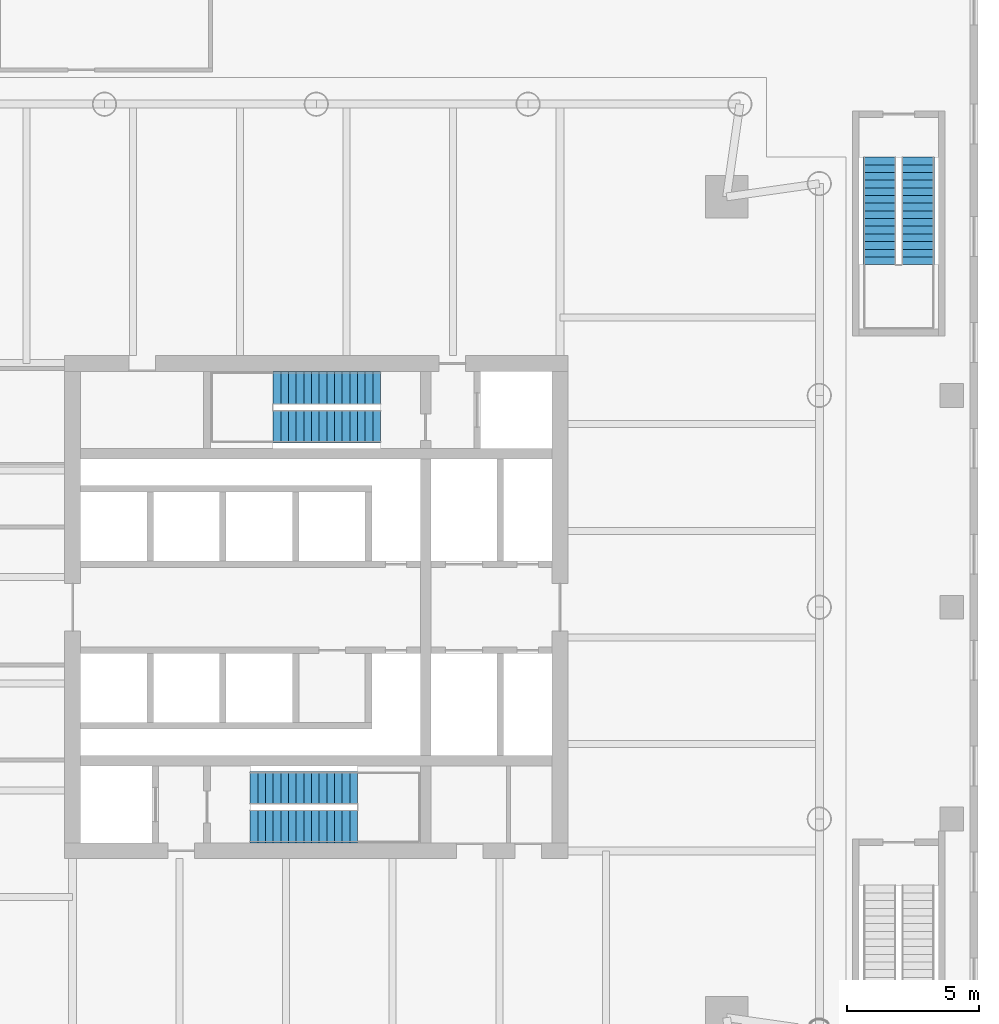
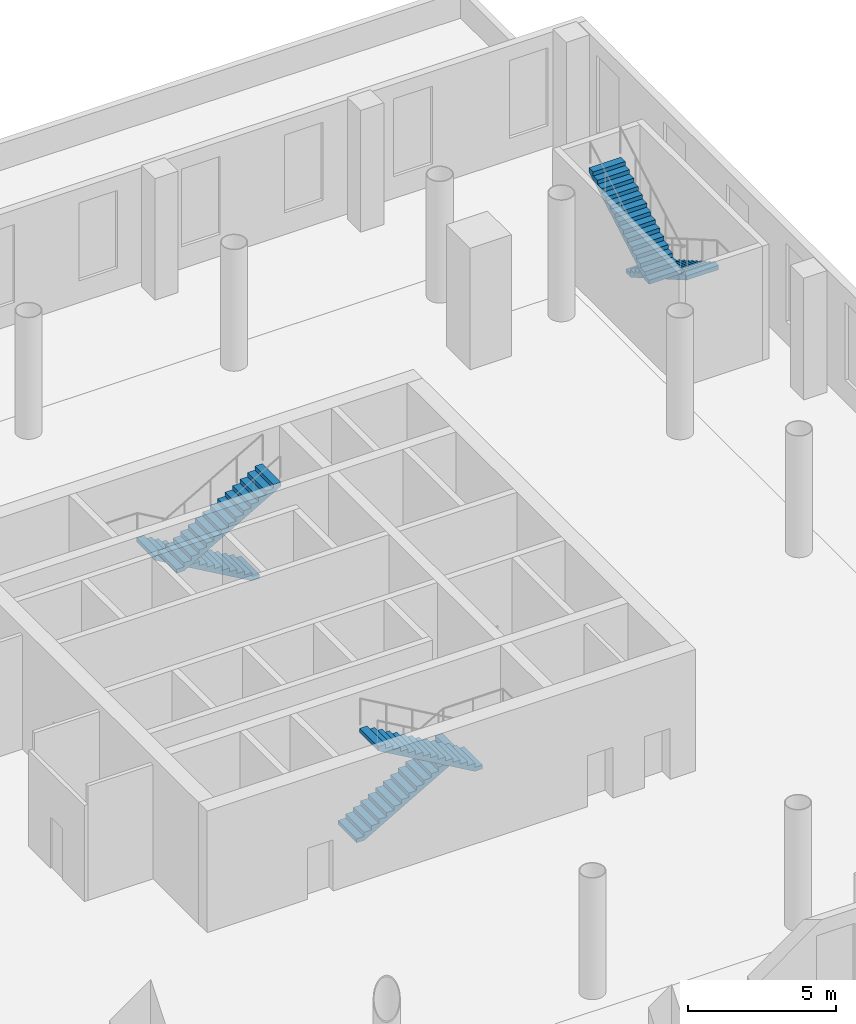
# One storey, part 14 of 16: 6 stair flights, 3 elements without a shape of their own.
"""IFC4 building model written with IfcOpenShell, lengths in metres."""

from ifc_helpers import new_model, si_unit, direction, frame, origin, place, context, subcontext, project, spatial, polyline, outline, extrude, material, type_object, element, aggregate, save


model = new_model("IFC4")

# Units and contexts
model_context = context("Model", 3, precision=1e-05, world=origin(), true_north=direction((0.0, 1.0)))
body_context = subcontext(model_context, "Body", "Model", "MODEL_VIEW")
ifc_project = project(units=[si_unit("LENGTHUNIT", "METRE"), si_unit("AREAUNIT", "SQUARE_METRE"), si_unit("VOLUMEUNIT", "CUBIC_METRE"), si_unit("PLANEANGLEUNIT", "RADIAN"), si_unit("MASSUNIT", "GRAM", prefix="KILO")], contexts=[model_context])

# Site, building, storey
site_placement = place(None, origin())
site = spatial("IfcSite", under=ifc_project, at=site_placement, CompositionType="ELEMENT")
building_placement = place(site_placement, origin())
building = spatial("IfcBuilding", under=site, at=building_placement, Name="Ostroluk Exchange", CompositionType="ELEMENT")
storey_placement = place(building_placement, frame((0.0, 0.0, 16.0)))
storey = spatial("IfcBuildingStorey", under=building, at=storey_placement, Name="L03", CompositionType="ELEMENT", Elevation=16.0)

# Stair, stair flights
ifc_material_1 = material(Name="Concrete C30/37", Category="concrete")
stair_type = type_object("IfcStairType", Name="Exit stair half turn 5000", PredefinedType="HALF_TURN_STAIR", material=ifc_material_1)
stair_1_placement = place(storey_placement, origin())
stair_1 = element("IfcStair", 1, at=stair_1_placement, inside=storey, type_object=stair_type, Name="Stair T2-S1 L03", PredefinedType="HALF_TURN_STAIR")
ifc_material_2 = material(Name="Concrete C30/37", Category="concrete")
stair_flight_type = type_object("IfcStairFlightType", Name="Stair flight 15 risers 166.7 x 290", PredefinedType="STRAIGHT", material=ifc_material_2)
stair_flight_1_placement = place(storey_placement, frame((114.5, 39.175048828125, 0.0), z_axis=(0.0, 0.0, 1.0), x_axis=(1.0, 0.0, 0.0)))
stair_flight_1 = element("IfcStairFlight", 2, at=stair_flight_1_placement, type_object=stair_flight_type, Name="T2-S1 flight 1", NumberOfRisers=15, NumberOfTreads=14, PredefinedType="STRAIGHT", RiserHeight=0.166666667, TreadLength=0.29, context=body_context, shape_type="SweptSolid", body=[
    extrude(outline(polyline([(0.0, 0.0), (0.0, 0.166748046875), (0.2900390625, 0.166748046875), (0.2900390625, 0.333251953125), (0.580078125, 0.333251953125), (0.580078125, 0.5), (0.8701171875, 0.5), (0.8701171875, 0.666748046875), (1.159912109375, 0.666748046875), (1.159912109375, 0.833251953125), (1.449951171875, 0.833251953125), (1.449951171875, 1.0), (1.739990234375, 1.0), (1.739990234375, 1.166748046875), (2.030029296875, 1.166748046875), (2.030029296875, 1.333251953125), (2.320068359375, 1.333251953125), (2.320068359375, 1.5), (2.610107421875, 1.5), (2.610107421875, 1.666748046875), (2.89990234375, 1.666748046875), (2.89990234375, 1.833251953125), (3.18994140625, 1.833251953125), (3.18994140625, 2.0), (3.47998046875, 2.0), (3.47998046875, 2.166748046875), (3.77001953125, 2.166748046875), (3.77001953125, 2.333251953125), (4.06005859375, 2.333251953125), (4.06005859375, 2.5), (4.06005859375, 2.160400390625), (0.30078125, 0.0), (0.0, 0.0)])), frame((0.0, 0.625, 0.0), z_axis=(0.0, -1.0, 0.0), x_axis=(1.0, 0.0, 0.0)), (0.0, 0.0, 1.0), 1.25),
])
stair_flight_2_placement = place(storey_placement, frame((118.56005859375, 37.72509765625, 2.5), z_axis=(0.0, 0.0, 1.0), x_axis=(-1.0, 0.0, 0.0)))
stair_flight_2 = element("IfcStairFlight", 3, at=stair_flight_2_placement, type_object=stair_flight_type, Name="T2-S1 flight 2", NumberOfRisers=15, NumberOfTreads=14, PredefinedType="STRAIGHT", RiserHeight=0.166666667, TreadLength=0.29, context=body_context, shape_type="SweptSolid", body=[
    extrude(outline(polyline([(0.0, 0.0), (0.0, 0.166748046875), (0.2900390625, 0.166748046875), (0.2900390625, 0.333251953125), (0.580078125, 0.333251953125), (0.580078125, 0.5), (0.8701171875, 0.5), (0.8701171875, 0.666748046875), (1.159912109375, 0.666748046875), (1.159912109375, 0.833251953125), (1.449951171875, 0.833251953125), (1.449951171875, 1.0), (1.739990234375, 1.0), (1.739990234375, 1.166748046875), (2.030029296875, 1.166748046875), (2.030029296875, 1.333251953125), (2.320068359375, 1.333251953125), (2.320068359375, 1.5), (2.610107421875, 1.5), (2.610107421875, 1.666748046875), (2.89990234375, 1.666748046875), (2.89990234375, 1.833251953125), (3.18994140625, 1.833251953125), (3.18994140625, 2.0), (3.47998046875, 2.0), (3.47998046875, 2.166748046875), (3.77001953125, 2.166748046875), (3.77001953125, 2.333251953125), (4.06005859375, 2.333251953125), (4.06005859375, 2.5), (4.06005859375, 2.160400390625), (0.30078125, 0.0), (0.0, 0.0)])), frame((0.0, 0.625, 0.0), z_axis=(0.0, -1.0, 0.0), x_axis=(1.0, 0.0, 0.0)), (0.0, 0.0, 1.0), 1.25),
])
aggregate(stair_1, [stair_flight_1, stair_flight_2])

stair_2_placement = place(storey_placement, origin())
stair_2 = element("IfcStair", 4, at=stair_2_placement, inside=storey, type_object=stair_type, Name="Stair T2-S2 L03", PredefinedType="HALF_TURN_STAIR")
stair_flight_3_placement = place(storey_placement, frame((119.429931640625, 54.27490234375, 0.0), z_axis=(0.0, 0.0, 1.0), x_axis=(-1.0, 0.0, 0.0)))
stair_flight_3 = element("IfcStairFlight", 5, at=stair_flight_3_placement, type_object=stair_flight_type, Name="T2-S2 flight 1", NumberOfRisers=15, NumberOfTreads=14, PredefinedType="STRAIGHT", RiserHeight=0.166666667, TreadLength=0.29, context=body_context, shape_type="SweptSolid", body=[
    extrude(outline(polyline([(0.0, 0.0), (0.0, 0.166748046875), (0.2900390625, 0.166748046875), (0.2900390625, 0.333251953125), (0.580078125, 0.333251953125), (0.580078125, 0.5), (0.8701171875, 0.5), (0.8701171875, 0.666748046875), (1.159912109375, 0.666748046875), (1.159912109375, 0.833251953125), (1.449951171875, 0.833251953125), (1.449951171875, 1.0), (1.739990234375, 1.0), (1.739990234375, 1.166748046875), (2.030029296875, 1.166748046875), (2.030029296875, 1.333251953125), (2.320068359375, 1.333251953125), (2.320068359375, 1.5), (2.610107421875, 1.5), (2.610107421875, 1.666748046875), (2.89990234375, 1.666748046875), (2.89990234375, 1.833251953125), (3.18994140625, 1.833251953125), (3.18994140625, 2.0), (3.47998046875, 2.0), (3.47998046875, 2.166748046875), (3.77001953125, 2.166748046875), (3.77001953125, 2.333251953125), (4.06005859375, 2.333251953125), (4.06005859375, 2.5), (4.06005859375, 2.160400390625), (0.30078125, 0.0), (0.0, 0.0)])), frame((0.0, 0.625, 0.0), z_axis=(0.0, -1.0, 0.0), x_axis=(1.0, 0.0, 0.0)), (0.0, 0.0, 1.0), 1.25),
])
stair_flight_4_placement = place(storey_placement, frame((115.3701171875, 52.824951171875, 2.5), z_axis=(0.0, 0.0, 1.0), x_axis=(1.0, 0.0, 0.0)))
stair_flight_4 = element("IfcStairFlight", 6, at=stair_flight_4_placement, type_object=stair_flight_type, Name="T2-S2 flight 2", NumberOfRisers=15, NumberOfTreads=14, PredefinedType="STRAIGHT", RiserHeight=0.166666667, TreadLength=0.29, context=body_context, shape_type="SweptSolid", body=[
    extrude(outline(polyline([(0.0, 0.0), (0.0, 0.166748046875), (0.2900390625, 0.166748046875), (0.2900390625, 0.333251953125), (0.580078125, 0.333251953125), (0.580078125, 0.5), (0.8701171875, 0.5), (0.8701171875, 0.666748046875), (1.159912109375, 0.666748046875), (1.159912109375, 0.833251953125), (1.449951171875, 0.833251953125), (1.449951171875, 1.0), (1.739990234375, 1.0), (1.739990234375, 1.166748046875), (2.030029296875, 1.166748046875), (2.030029296875, 1.333251953125), (2.320068359375, 1.333251953125), (2.320068359375, 1.5), (2.610107421875, 1.5), (2.610107421875, 1.666748046875), (2.89990234375, 1.666748046875), (2.89990234375, 1.833251953125), (3.18994140625, 1.833251953125), (3.18994140625, 2.0), (3.47998046875, 2.0), (3.47998046875, 2.166748046875), (3.77001953125, 2.166748046875), (3.77001953125, 2.333251953125), (4.06005859375, 2.333251953125), (4.06005859375, 2.5), (4.06005859375, 2.160400390625), (0.30078125, 0.0), (0.0, 0.0)])), frame((0.0, 0.625, 0.0), z_axis=(0.0, -1.0, 0.0), x_axis=(1.0, 0.0, 0.0)), (0.0, 0.0, 1.0), 1.25),
])
aggregate(stair_2, [stair_flight_3, stair_flight_4])

stair_3_placement = place(storey_placement, origin())
stair_3 = element("IfcStair", 7, at=stair_3_placement, inside=storey, type_object=stair_type, Name="Stair PS8 L03", PredefinedType="HALF_TURN_STAIR")
stair_flight_5_placement = place(storey_placement, frame((139.72509765625, 63.0, 0.0), z_axis=(0.0, 0.0, 1.0), x_axis=(0.0, -1.0, 0.0)))
stair_flight_5 = element("IfcStairFlight", 8, at=stair_flight_5_placement, type_object=stair_flight_type, Name="PS8 flight 1", NumberOfRisers=15, NumberOfTreads=14, PredefinedType="STRAIGHT", RiserHeight=0.166666667, TreadLength=0.29, context=body_context, shape_type="SweptSolid", body=[
    extrude(outline(polyline([(0.0, 0.0), (0.0, 0.166748046875), (0.2900390625, 0.166748046875), (0.2900390625, 0.333251953125), (0.580078125, 0.333251953125), (0.580078125, 0.5), (0.8701171875, 0.5), (0.8701171875, 0.666748046875), (1.159912109375, 0.666748046875), (1.159912109375, 0.833251953125), (1.449951171875, 0.833251953125), (1.449951171875, 1.0), (1.739990234375, 1.0), (1.739990234375, 1.166748046875), (2.030029296875, 1.166748046875), (2.030029296875, 1.333251953125), (2.320068359375, 1.333251953125), (2.320068359375, 1.5), (2.610107421875, 1.5), (2.610107421875, 1.666748046875), (2.89990234375, 1.666748046875), (2.89990234375, 1.833251953125), (3.18994140625, 1.833251953125), (3.18994140625, 2.0), (3.47998046875, 2.0), (3.47998046875, 2.166748046875), (3.77001953125, 2.166748046875), (3.77001953125, 2.333251953125), (4.06005859375, 2.333251953125), (4.06005859375, 2.5), (4.06005859375, 2.160400390625), (0.30078125, 0.0), (0.0, 0.0)])), frame((0.0, 0.625, 0.0), z_axis=(0.0, -1.0, 0.0), x_axis=(1.0, 0.0, 0.0)), (0.0, 0.0, 1.0), 1.25),
])
stair_flight_6_placement = place(storey_placement, frame((138.27490234375, 58.93994140625, 2.5), z_axis=(0.0, 0.0, 1.0), x_axis=(0.0, 1.0, 0.0)))
stair_flight_6 = element("IfcStairFlight", 9, at=stair_flight_6_placement, type_object=stair_flight_type, Name="PS8 flight 2", NumberOfRisers=15, NumberOfTreads=14, PredefinedType="STRAIGHT", RiserHeight=0.166666667, TreadLength=0.29, context=body_context, shape_type="SweptSolid", body=[
    extrude(outline(polyline([(0.0, 0.0), (0.0, 0.166748046875), (0.2900390625, 0.166748046875), (0.2900390625, 0.333251953125), (0.580078125, 0.333251953125), (0.580078125, 0.5), (0.8701171875, 0.5), (0.8701171875, 0.666748046875), (1.159912109375, 0.666748046875), (1.159912109375, 0.833251953125), (1.449951171875, 0.833251953125), (1.449951171875, 1.0), (1.739990234375, 1.0), (1.739990234375, 1.166748046875), (2.030029296875, 1.166748046875), (2.030029296875, 1.333251953125), (2.320068359375, 1.333251953125), (2.320068359375, 1.5), (2.610107421875, 1.5), (2.610107421875, 1.666748046875), (2.89990234375, 1.666748046875), (2.89990234375, 1.833251953125), (3.18994140625, 1.833251953125), (3.18994140625, 2.0), (3.47998046875, 2.0), (3.47998046875, 2.166748046875), (3.77001953125, 2.166748046875), (3.77001953125, 2.333251953125), (4.06005859375, 2.333251953125), (4.06005859375, 2.5), (4.06005859375, 2.160400390625), (0.30078125, 0.0), (0.0, 0.0)])), frame((0.0, 0.625, 0.0), z_axis=(0.0, -1.0, 0.0), x_axis=(1.0, 0.0, 0.0)), (0.0, 0.0, 1.0), 1.25),
])
aggregate(stair_3, [stair_flight_5, stair_flight_6])

save(model, "model.ifc")
